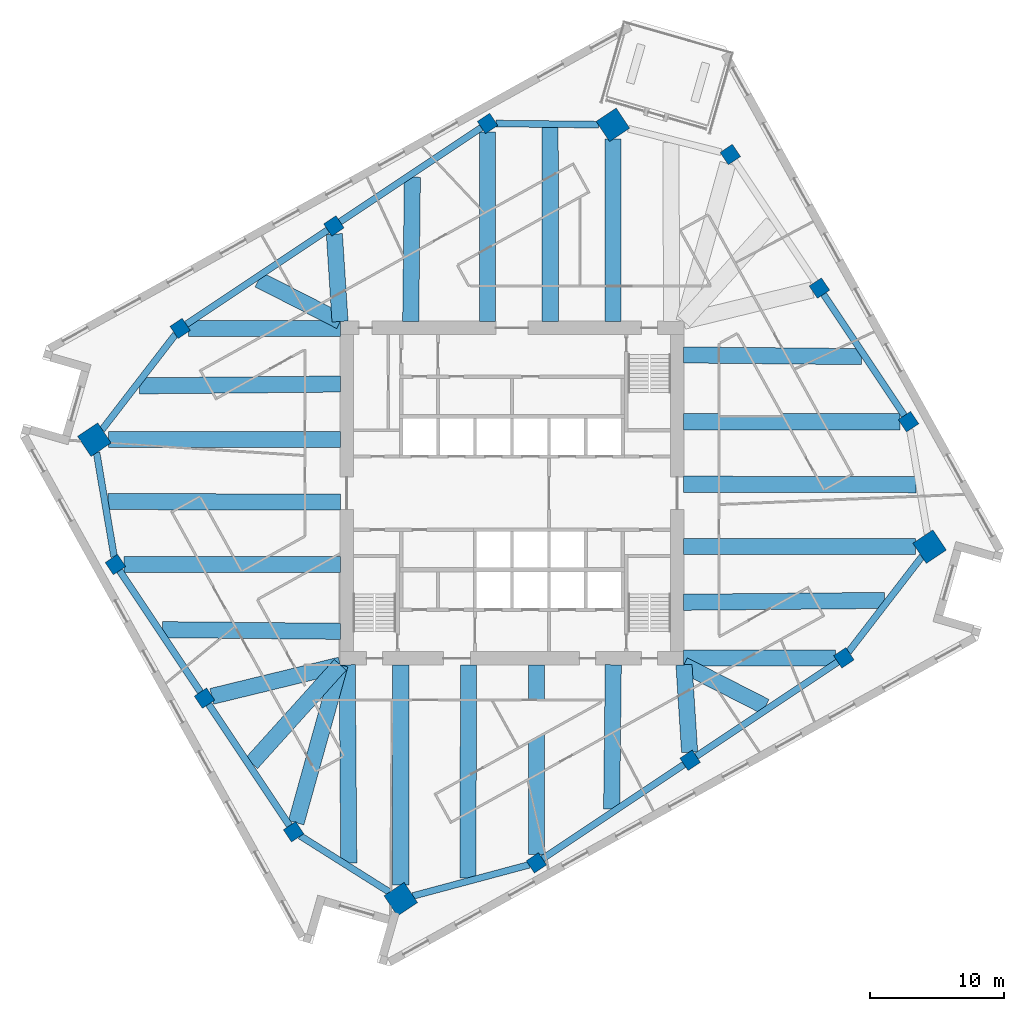
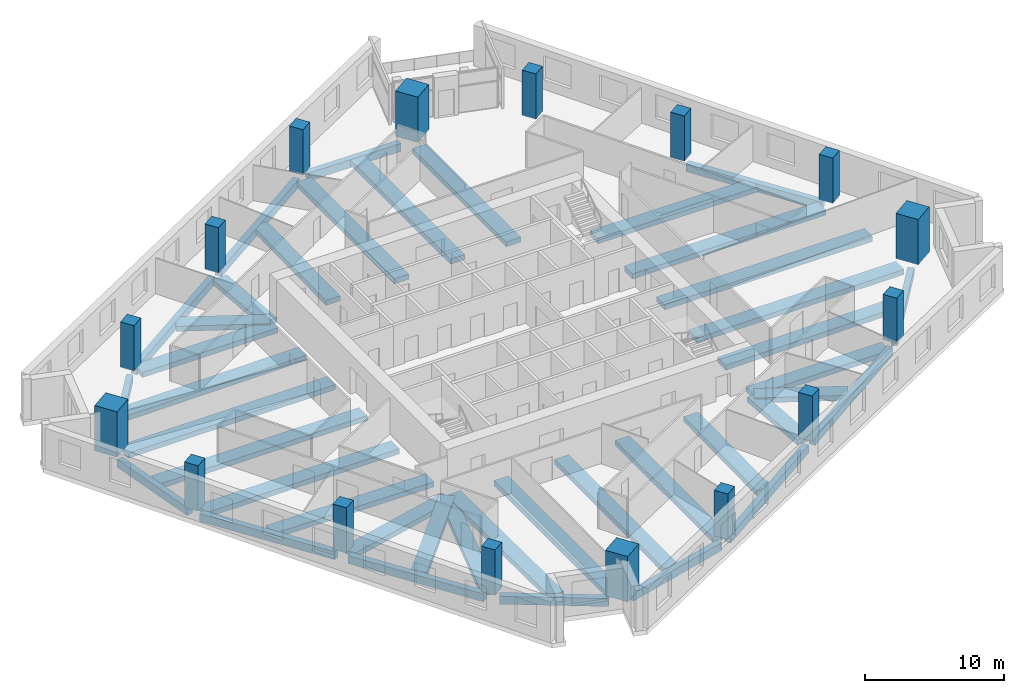
# One storey, part 1 of 12: 41 beams, 16 columns.
"""IFC4 building model written with IfcOpenShell, lengths in metres."""

from ifc_helpers import new_model, si_unit, direction, frame, origin, origin_2d, place, context, subcontext, project, spatial, rectangle, extrude, material, material_profile, profile_set, type_object, element, save


model = new_model("IFC4")

# Units and contexts
model_context = context("Model", 3, precision=1e-05, world=origin(), true_north=direction((0.0, 1.0)))
body_context = subcontext(model_context, "Body", "Model", "MODEL_VIEW")
ifc_project = project(units=[si_unit("LENGTHUNIT", "METRE"), si_unit("AREAUNIT", "SQUARE_METRE"), si_unit("VOLUMEUNIT", "CUBIC_METRE"), si_unit("PLANEANGLEUNIT", "RADIAN"), si_unit("MASSUNIT", "GRAM", prefix="KILO")], contexts=[model_context])

# Site, building, storey
site_placement = place(None, origin())
site = spatial("IfcSite", under=ifc_project, at=site_placement, CompositionType="ELEMENT")
building_placement = place(site_placement, origin())
building = spatial("IfcBuilding", under=site, at=building_placement, Name="Dilmun Exchange Tower", CompositionType="ELEMENT")
storey_placement = place(building_placement, frame((0.0, 0.0, 139.699951171875)))
storey = spatial("IfcBuildingStorey", under=building, at=storey_placement, Name="L32", CompositionType="ELEMENT", Elevation=139.699951171875)

# Columns
ifc_material_1 = material(Name="Concrete C60/75", Category="concrete")
ifc_material_profile_1 = material_profile(ifc_material_1, rectangle(XDim=1.800048828125, YDim=1.800048828125, at=origin_2d()), Name="1800 x 1800")
ifc_profile_set_1 = profile_set([ifc_material_profile_1], Name="Concrete C60/75")
column_type_1 = type_object("IfcColumnType", Name="RC mega column 1800 x 1800 C60/75", PredefinedType="COLUMN", material=ifc_profile_set_1)
for number, where, z_axis, x_axis, name in (
    (1, (7.506103515625, 27.409912109375, 0.0), (0.0, 0.0, 1.0), (0.832028680356, 0.55473261583, 0.0), "Mega column M1"),
    (2, (-31.0791015625, 3.98193359375, 0.0), (0.0, 0.0, 1.0), (0.832028680356, 0.55473261583, 0.0), "Mega column M2"),
    (3, (-8.27587890625, -30.220947265625, 0.0), (0.0, 0.0, 1.0), (0.832028680356, 0.55473261583, 0.0), "Mega column M3"),
    (4, (31.0791015625, -3.98193359375, 0.0), (0.0, 0.0, 1.0), (0.832028680356, 0.55473261583, 0.0), "Mega column M4"),
):
    element("IfcColumn", number, at=place(storey_placement, frame(where, z_axis=z_axis, x_axis=x_axis)), inside=storey, type_object=column_type_1, Name=name, PredefinedType="COLUMN", context=body_context, shape_type="SweptSolid", body=[
        extrude(rectangle(XDim=1.800048828125, YDim=1.800048828125, at=origin_2d()), origin(), (0.0, 0.0, 1.0), 4.0),
    ])
ifc_material_profile_2 = material_profile(ifc_material_1, rectangle(XDim=1.10009765625, YDim=1.10009765625, at=origin_2d()), Name="1100 x 1100")
ifc_profile_set_2 = profile_set([ifc_material_profile_2], Name="Concrete C60/75")
column_type_2 = type_object("IfcColumnType", Name="RC ring column 1100 x 1100 C60/75", PredefinedType="COLUMN", material=ifc_profile_set_2)
for number, where, z_axis, x_axis, name in (
    (5, (-1.818115234375, 27.512939453125, 0.0), (0.0, 0.0, 1.0), (0.832028680356, 0.55473261583, 0.0), "Ring column R01"),
    (6, (-13.258056640625, 19.885009765625, 0.0), (0.0, 0.0, 1.0), (0.832028680356, 0.55473261583, 0.0), "Ring column R02"),
    (7, (-24.698974609375, 12.258056640625, 0.0), (0.0, 0.0, 1.0), (0.832028680356, 0.55473261583, 0.0), "Ring column R03"),
    (8, (-29.510009765625, -5.31201171875, 0.0), (0.0, 0.0, 1.0), (0.832028680356, 0.55473261583, 0.0), "Ring column R04"),
    (9, (-22.881103515625, -15.2548828125, 0.0), (0.0, 0.0, 1.0), (0.832028680356, 0.55473261583, 0.0), "Ring column R05"),
    (10, (-16.251953125, -25.197998046875, 0.0), (0.0, 0.0, 1.0), (0.832028680356, 0.55473261583, 0.0), "Ring column R06"),
    (11, (1.818115234375, -27.512939453125, 0.0), (0.0, 0.0, 1.0), (0.832028680356, 0.55473261583, 0.0), "Ring column R07"),
    (12, (13.258056640625, -19.885009765625, 0.0), (0.0, 0.0, 1.0), (0.832028680356, 0.55473261583, 0.0), "Ring column R08"),
    (13, (24.698974609375, -12.258056640625, 0.0), (0.0, 0.0, 1.0), (0.832028680356, 0.55473261583, 0.0), "Ring column R09"),
    (14, (29.510009765625, 5.31201171875, 0.0), (0.0, 0.0, 1.0), (0.832028680356, 0.55473261583, 0.0), "Ring column R10"),
    (15, (22.881103515625, 15.2548828125, 0.0), (0.0, 0.0, 1.0), (0.832028680356, 0.55473261583, 0.0), "Ring column R11"),
    (16, (16.251953125, 25.197998046875, 0.0), (0.0, 0.0, 1.0), (0.832028680356, 0.55473261583, 0.0), "Ring column R12"),
):
    element("IfcColumn", number, at=place(storey_placement, frame(where, z_axis=z_axis, x_axis=x_axis)), inside=storey, type_object=column_type_2, Name=name, PredefinedType="COLUMN", context=body_context, shape_type="SweptSolid", body=[
        extrude(rectangle(XDim=1.10009765625, YDim=1.10009765625, at=origin_2d()), origin(), (0.0, 0.0, 1.0), 4.0),
    ])

# Beams
ifc_material_2 = material(Name="Concrete C40/50", Category="concrete")
ifc_material_profile_3 = material_profile(ifc_material_2, rectangle(XDim=1.199951171875, YDim=0.449951171875, at=origin_2d()), Name="1200 x 450")
ifc_profile_set_3 = profile_set([ifc_material_profile_3], Name="Concrete C40/50")
beam_type_1 = type_object("IfcBeamType", Name="RC band beam 1200 x 450 C40/50", PredefinedType="BEAM", material=ifc_profile_set_3)
beam_1_placement = place(storey_placement, frame((7.506103515625, 26.355224609375, -0.724853515625), z_axis=(0.0, -1.0, 0.0), x_axis=(1.0, 0.0, 0.0)))
element("IfcBeam", 17, at=beam_1_placement, inside=storey, type_object=beam_type_1, Name="Band beam 1", PredefinedType="BEAM", context=body_context, shape_type="SweptSolid", body=[
    extrude(rectangle(XDim=1.199951171875, YDim=0.449951171875, at=origin_2d()), origin(), (0.0, 0.0, 1.0), 13.582275390625),
])
beam_2_placement = place(storey_placement, frame((-1.818115234375, 26.87890625, -0.724853515625), z_axis=(0.0, -1.0, 0.0), x_axis=(1.0, 0.0, 0.0)))
element("IfcBeam", 18, at=beam_2_placement, inside=storey, type_object=beam_type_1, Name="Band beam 2", PredefinedType="BEAM", context=body_context, shape_type="SweptSolid", body=[
    extrude(rectangle(XDim=1.199951171875, YDim=0.449951171875, at=origin_2d()), origin(), (0.0, 0.0, 1.0), 14.10595703125),
])
beam_3_placement = place(storey_placement, frame((-13.21875, 19.2783203125, -0.724853515625), z_axis=(0.064492965824, -0.997918161654, 0.0), x_axis=(0.997918161654, 0.064492965824, 0.0)))
element("IfcBeam", 19, at=beam_3_placement, inside=storey, type_object=beam_type_1, Name="Band beam 3", PredefinedType="BEAM", context=body_context, shape_type="SweptSolid", body=[
    extrude(rectangle(XDim=1.199951171875, YDim=0.449951171875, at=origin_2d()), origin(), (0.0, 0.0, 1.0), 6.518798828125),
])
beam_4_placement = place(storey_placement, frame((-24.06494140625, 12.258056640625, -0.724853515625), z_axis=(1.0, 0.0, 0.0), x_axis=(0.0, 1.0, 0.0)))
element("IfcBeam", 20, at=beam_4_placement, inside=storey, type_object=beam_type_1, Name="Band beam 4", PredefinedType="BEAM", context=body_context, shape_type="SweptSolid", body=[
    extrude(rectangle(XDim=1.199951171875, YDim=0.449951171875, at=origin_2d()), origin(), (0.0, 0.0, 1.0), 11.2919921875),
])
beam_5_placement = place(storey_placement, frame((-30.0244140625, 3.98193359375, -0.724853515625), z_axis=(1.0, 0.0, 0.0), x_axis=(0.0, 1.0, 0.0)))
element("IfcBeam", 21, at=beam_5_placement, inside=storey, type_object=beam_type_1, Name="Band beam 5", PredefinedType="BEAM", context=body_context, shape_type="SweptSolid", body=[
    extrude(rectangle(XDim=1.199951171875, YDim=0.449951171875, at=origin_2d()), origin(), (0.0, 0.0, 1.0), 17.25146484375),
])
beam_6_placement = place(storey_placement, frame((-28.8759765625, -5.31201171875, -0.724853515625), z_axis=(1.0, 0.0, 0.0), x_axis=(0.0, 1.0, 0.0)))
element("IfcBeam", 22, at=beam_6_placement, inside=storey, type_object=beam_type_1, Name="Band beam 6", PredefinedType="BEAM", context=body_context, shape_type="SweptSolid", body=[
    extrude(rectangle(XDim=1.199951171875, YDim=0.449951171875, at=origin_2d()), origin(), (0.0, 0.0, 1.0), 16.10302734375),
])
beam_7_placement = place(storey_placement, frame((-22.33837890625, -15.122802734375, -0.724853515625), z_axis=(0.971607999859, 0.236596480554, 0.0), x_axis=(-0.236596480554, 0.971607999859, 0.0)))
element("IfcBeam", 23, at=beam_7_placement, inside=storey, type_object=beam_type_1, Name="Band beam 7", PredefinedType="BEAM", context=body_context, shape_type="SweptSolid", body=[
    extrude(rectangle(XDim=1.199951171875, YDim=0.449951171875, at=origin_2d()), origin(), (0.0, 0.0, 1.0), 9.84423828125),
])
beam_8_placement = place(storey_placement, frame((-16.064453125, -24.524658203125, -0.724853515625), z_axis=(0.268225004284, 0.963356292904, 0.0), x_axis=(-0.963356292904, 0.268225004284, 0.0)))
element("IfcBeam", 24, at=beam_8_placement, inside=storey, type_object=beam_type_1, Name="Band beam 8", PredefinedType="BEAM", context=body_context, shape_type="SweptSolid", body=[
    extrude(rectangle(XDim=1.199951171875, YDim=0.449951171875, at=origin_2d()), origin(), (0.0, 0.0, 1.0), 12.19775390625),
])
beam_9_placement = place(storey_placement, frame((-8.27587890625, -29.166259765625, -0.724853515625), z_axis=(0.0, 1.0, 0.0), x_axis=(-1.0, 0.0, 0.0)))
element("IfcBeam", 25, at=beam_9_placement, inside=storey, type_object=beam_type_1, Name="Band beam 9", PredefinedType="BEAM", context=body_context, shape_type="SweptSolid", body=[
    extrude(rectangle(XDim=1.199951171875, YDim=0.449951171875, at=origin_2d()), origin(), (0.0, 0.0, 1.0), 16.393310546875),
])
beam_10_placement = place(storey_placement, frame((1.818115234375, -26.87890625, -0.724853515625), z_axis=(0.0, 1.0, 0.0), x_axis=(-1.0, 0.0, 0.0)))
element("IfcBeam", 26, at=beam_10_placement, inside=storey, type_object=beam_type_1, Name="Band beam 10", PredefinedType="BEAM", context=body_context, shape_type="SweptSolid", body=[
    extrude(rectangle(XDim=1.199951171875, YDim=0.449951171875, at=origin_2d()), origin(), (0.0, 0.0, 1.0), 14.10595703125),
])
beam_11_placement = place(storey_placement, frame((13.21875, -19.2783203125, -0.724853515625), z_axis=(-0.064492965824, 0.997918161654, 0.0), x_axis=(-0.997918161654, -0.064492965824, 0.0)))
element("IfcBeam", 27, at=beam_11_placement, inside=storey, type_object=beam_type_1, Name="Band beam 11", PredefinedType="BEAM", context=body_context, shape_type="SweptSolid", body=[
    extrude(rectangle(XDim=1.199951171875, YDim=0.449951171875, at=origin_2d()), origin(), (0.0, 0.0, 1.0), 6.518798828125),
])
beam_12_placement = place(storey_placement, frame((24.06494140625, -12.258056640625, -0.724853515625), z_axis=(-1.0, 0.0, 0.0), x_axis=(0.0, -1.0, 0.0)))
element("IfcBeam", 28, at=beam_12_placement, inside=storey, type_object=beam_type_1, Name="Band beam 12", PredefinedType="BEAM", context=body_context, shape_type="SweptSolid", body=[
    extrude(rectangle(XDim=1.199951171875, YDim=0.449951171875, at=origin_2d()), origin(), (0.0, 0.0, 1.0), 11.2919921875),
])
beam_13_placement = place(storey_placement, frame((30.0244140625, -3.98193359375, -0.724853515625), z_axis=(-1.0, 0.0, 0.0), x_axis=(0.0, -1.0, 0.0)))
element("IfcBeam", 29, at=beam_13_placement, inside=storey, type_object=beam_type_1, Name="Band beam 13", PredefinedType="BEAM", context=body_context, shape_type="SweptSolid", body=[
    extrude(rectangle(XDim=1.199951171875, YDim=0.449951171875, at=origin_2d()), origin(), (0.0, 0.0, 1.0), 17.25146484375),
])
beam_14_placement = place(storey_placement, frame((28.8759765625, 5.31201171875, -0.724853515625), z_axis=(-1.0, 0.0, 0.0), x_axis=(0.0, -1.0, 0.0)))
element("IfcBeam", 30, at=beam_14_placement, inside=storey, type_object=beam_type_1, Name="Band beam 14", PredefinedType="BEAM", context=body_context, shape_type="SweptSolid", body=[
    extrude(rectangle(XDim=1.199951171875, YDim=0.449951171875, at=origin_2d()), origin(), (0.0, 0.0, 1.0), 16.10302734375),
])
beam_15_placement = place(storey_placement, frame((2.841552734375, 27.238525390625, -0.625), z_axis=(0.00016877352, -0.999999985758, 0.0), x_axis=(0.999999985758, 0.00016877352, 0.0)))
element("IfcBeam", 31, at=beam_15_placement, inside=storey, type_object=beam_type_1, Name="Band beam 17", PredefinedType="BEAM", context=body_context, shape_type="SweptSolid", body=[
    extrude(rectangle(XDim=1.199951171875, YDim=0.449951171875, at=origin_2d()), origin(), (0.0, 0.0, 1.0), 14.465576171875),
])
beam_16_placement = place(storey_placement, frame((-7.414306640625, 23.513427734375, -0.625), z_axis=(-0.011523795482, -0.999933598864, 0.0), x_axis=(0.999933598864, -0.011523795482, 0.0)))
element("IfcBeam", 32, at=beam_16_placement, inside=storey, type_object=beam_type_1, Name="Band beam 18", PredefinedType="BEAM", context=body_context, shape_type="SweptSolid", body=[
    extrude(rectangle(XDim=1.199951171875, YDim=0.449951171875, at=origin_2d()), origin(), (0.0, 0.0, 1.0), 10.7412109375),
])
beam_17_placement = place(storey_placement, frame((-18.854736328125, 15.885986328125, -0.625), z_axis=(0.890922045004, -0.454156261354, 0.0), x_axis=(0.454156261354, 0.890922045004, 0.0)))
element("IfcBeam", 33, at=beam_17_placement, inside=storey, type_object=beam_type_1, Name="Band beam 19", PredefinedType="BEAM", context=body_context, shape_type="SweptSolid", body=[
    extrude(rectangle(XDim=1.199951171875, YDim=0.449951171875, at=origin_2d()), origin(), (0.0, 0.0, 1.0), 6.82275390625),
])
beam_18_placement = place(storey_placement, frame((-27.71240234375, 7.98388671875, -0.625), z_axis=(0.99995842598, 0.009118459957, 0.0), x_axis=(-0.009118459957, 0.99995842598, 0.0)))
element("IfcBeam", 34, at=beam_18_placement, inside=storey, type_object=beam_type_1, Name="Band beam 20", PredefinedType="BEAM", context=body_context, shape_type="SweptSolid", body=[
    extrude(rectangle(XDim=1.199951171875, YDim=0.449951171875, at=origin_2d()), origin(), (0.0, 0.0, 1.0), 14.940185546875),
])
beam_19_placement = place(storey_placement, frame((-30.07470703125, -0.6279296875, -0.625), z_axis=(0.999997699854, -0.002144827713, 0.0), x_axis=(0.002144827713, 0.999997699854, 0.0)))
element("IfcBeam", 35, at=beam_19_placement, inside=storey, type_object=beam_type_1, Name="Band beam 21", PredefinedType="BEAM", context=body_context, shape_type="SweptSolid", body=[
    extrude(rectangle(XDim=1.199951171875, YDim=0.449951171875, at=origin_2d()), origin(), (0.0, 0.0, 1.0), 17.3017578125),
])
beam_20_placement = place(storey_placement, frame((-26.010009765625, -10.159912109375, -0.625), z_axis=(0.999956454863, -0.009332115424, 0.0), x_axis=(0.009332115424, 0.999956454863, 0.0)))
element("IfcBeam", 36, at=beam_20_placement, inside=storey, type_object=beam_type_1, Name="Band beam 22", PredefinedType="BEAM", context=body_context, shape_type="SweptSolid", body=[
    extrude(rectangle(XDim=1.199951171875, YDim=0.449951171875, at=origin_2d()), origin(), (0.0, 0.0, 1.0), 13.237548828125),
])
beam_21_placement = place(storey_placement, frame((-19.381103515625, -20.102783203125, -0.625), z_axis=(0.669462647611, 0.742845719819, 0.0), x_axis=(-0.742845719819, 0.669462647611, 0.0)))
element("IfcBeam", 37, at=beam_21_placement, inside=storey, type_object=beam_type_1, Name="Band beam 23", PredefinedType="BEAM", context=body_context, shape_type="SweptSolid", body=[
    extrude(rectangle(XDim=1.199951171875, YDim=0.449951171875, at=origin_2d()), origin(), (0.0, 0.0, 1.0), 9.857666015625),
])
beam_22_placement = place(storey_placement, frame((-12.145263671875, -27.520751953125, -0.625), z_axis=(-0.008045164826, 0.999967637138, 0.0), x_axis=(-0.999967637138, -0.008045164826, 0.0)))
element("IfcBeam", 38, at=beam_22_placement, inside=storey, type_object=beam_type_1, Name="Band beam 24", PredefinedType="BEAM", context=body_context, shape_type="SweptSolid", body=[
    extrude(rectangle(XDim=1.199951171875, YDim=0.449951171875, at=origin_2d()), origin(), (0.0, 0.0, 1.0), 14.748291015625),
])
beam_23_placement = place(storey_placement, frame((-3.286865234375, -28.651611328125, -0.625), z_axis=(0.003643943273, 0.999993360817, 0.0), x_axis=(-0.999993360817, 0.003643943273, 0.0)))
element("IfcBeam", 39, at=beam_23_placement, inside=storey, type_object=beam_type_1, Name="Band beam 25", PredefinedType="BEAM", context=body_context, shape_type="SweptSolid", body=[
    extrude(rectangle(XDim=1.199951171875, YDim=0.449951171875, at=origin_2d()), origin(), (0.0, 0.0, 1.0), 15.878662109375),
])
beam_24_placement = place(storey_placement, frame((7.414306640625, -23.513427734375, -0.625), z_axis=(0.011523795482, 0.999933598864, 0.0), x_axis=(-0.999933598864, 0.011523795482, 0.0)))
element("IfcBeam", 40, at=beam_24_placement, inside=storey, type_object=beam_type_1, Name="Band beam 26", PredefinedType="BEAM", context=body_context, shape_type="SweptSolid", body=[
    extrude(rectangle(XDim=1.199951171875, YDim=0.449951171875, at=origin_2d()), origin(), (0.0, 0.0, 1.0), 10.7412109375),
])
beam_25_placement = place(storey_placement, frame((18.854736328125, -15.885986328125, -0.625), z_axis=(-0.890922045004, 0.454156261354, 0.0), x_axis=(-0.454156261354, -0.890922045004, 0.0)))
element("IfcBeam", 41, at=beam_25_placement, inside=storey, type_object=beam_type_1, Name="Band beam 27", PredefinedType="BEAM", context=body_context, shape_type="SweptSolid", body=[
    extrude(rectangle(XDim=1.199951171875, YDim=0.449951171875, at=origin_2d()), origin(), (0.0, 0.0, 1.0), 6.82275390625),
])
beam_26_placement = place(storey_placement, frame((27.71240234375, -7.98388671875, -0.625), z_axis=(-0.99995842598, -0.009118459957, 0.0), x_axis=(0.009118459957, -0.99995842598, 0.0)))
element("IfcBeam", 42, at=beam_26_placement, inside=storey, type_object=beam_type_1, Name="Band beam 28", PredefinedType="BEAM", context=body_context, shape_type="SweptSolid", body=[
    extrude(rectangle(XDim=1.199951171875, YDim=0.449951171875, at=origin_2d()), origin(), (0.0, 0.0, 1.0), 14.940185546875),
])
beam_27_placement = place(storey_placement, frame((30.07470703125, 0.6279296875, -0.625), z_axis=(-0.999997699854, 0.002144827713, 0.0), x_axis=(-0.002144827713, -0.999997699854, 0.0)))
element("IfcBeam", 43, at=beam_27_placement, inside=storey, type_object=beam_type_1, Name="Band beam 29", PredefinedType="BEAM", context=body_context, shape_type="SweptSolid", body=[
    extrude(rectangle(XDim=1.199951171875, YDim=0.449951171875, at=origin_2d()), origin(), (0.0, 0.0, 1.0), 17.3017578125),
])
beam_28_placement = place(storey_placement, frame((26.010009765625, 10.159912109375, -0.625), z_axis=(-0.999956454863, 0.009332115424, 0.0), x_axis=(-0.009332115424, -0.999956454863, 0.0)))
element("IfcBeam", 44, at=beam_28_placement, inside=storey, type_object=beam_type_1, Name="Band beam 30", PredefinedType="BEAM", context=body_context, shape_type="SweptSolid", body=[
    extrude(rectangle(XDim=1.199951171875, YDim=0.449951171875, at=origin_2d()), origin(), (0.0, 0.0, 1.0), 13.237548828125),
])
ifc_material_profile_4 = material_profile(ifc_material_2, rectangle(XDim=0.5, YDim=0.699951171875, at=origin_2d()), Name="500 x 700")
ifc_profile_set_4 = profile_set([ifc_material_profile_4], Name="Concrete C40/50")
beam_type_2 = type_object("IfcBeamType", Name="RC ring beam 500 x 700 C40/50", PredefinedType="SPANDREL", material=ifc_profile_set_4)
beam_29_placement = place(storey_placement, frame((6.443359375, 27.421630859375, -0.75), z_axis=(-0.999938955437, 0.011049226175, 0.0), x_axis=(-0.011049226175, -0.999938955437, 0.0)))
element("IfcBeam", 45, at=beam_29_placement, inside=storey, type_object=beam_type_2, Name="Ring beam 1", PredefinedType="SPANDREL", context=body_context, shape_type="SweptSolid", body=[
    extrude(rectangle(XDim=0.5, YDim=0.699951171875, at=origin_2d()), origin(), (0.0, 0.0, 1.0), 7.623046875),
])
beam_30_placement = place(storey_placement, frame((-2.253173828125, 27.222900390625, -0.75), z_axis=(-0.832002986666, -0.554771151177, 0.0), x_axis=(0.554771151177, -0.832002986666, 0.0)))
element("IfcBeam", 46, at=beam_30_placement, inside=storey, type_object=beam_type_2, Name="Ring beam 2", PredefinedType="SPANDREL", context=body_context, shape_type="SweptSolid", body=[
    extrude(rectangle(XDim=0.5, YDim=0.699951171875, at=origin_2d()), origin(), (0.0, 0.0, 1.0), 12.7041015625),
])
beam_31_placement = place(storey_placement, frame((-13.693115234375, 19.594970703125, -0.75), z_axis=(-0.832062120058, -0.554682457235, 0.0), x_axis=(0.554682457235, -0.832062120058, 0.0)))
element("IfcBeam", 47, at=beam_31_placement, inside=storey, type_object=beam_type_2, Name="Ring beam 3", PredefinedType="SPANDREL", context=body_context, shape_type="SweptSolid", body=[
    extrude(rectangle(XDim=0.5, YDim=0.699951171875, at=origin_2d()), origin(), (0.0, 0.0, 1.0), 12.704345703125),
])
beam_32_placement = place(storey_placement, frame((-25.037109375, 11.819580078125, -0.75), z_axis=(-0.610521727247, -0.791999507929, 0.0), x_axis=(0.791999507929, -0.610521727247, 0.0)))
element("IfcBeam", 48, at=beam_32_placement, inside=storey, type_object=beam_type_2, Name="Ring beam 4", PredefinedType="SPANDREL", context=body_context, shape_type="SweptSolid", body=[
    extrude(rectangle(XDim=0.5, YDim=0.699951171875, at=origin_2d()), origin(), (0.0, 0.0, 1.0), 8.97314453125),
])
beam_33_placement = place(storey_placement, frame((-30.91943359375, 3.036376953125, -0.75), z_axis=(0.166485785433, -0.986043854628, 0.0), x_axis=(0.986043854628, 0.166485785433, 0.0)))
element("IfcBeam", 49, at=beam_33_placement, inside=storey, type_object=beam_type_2, Name="Ring beam 5", PredefinedType="SPANDREL", context=body_context, shape_type="SweptSolid", body=[
    extrude(rectangle(XDim=0.5, YDim=0.699951171875, at=origin_2d()), origin(), (0.0, 0.0, 1.0), 7.890869140625),
])
for number, where, z_axis, x_axis, name in (
    (50, (-29.219970703125, -5.747314453125, -0.75), (0.554731197186, -0.832029626196, 0.0), (0.832029626196, 0.554731197186, 0.0), "Ring beam 6"),
    (51, (-22.5908203125, -15.690185546875, -0.75), (0.554731197186, -0.832029626196, 0.0), (0.832029626196, 0.554731197186, 0.0), "Ring beam 7"),
):
    element("IfcBeam", number, at=place(storey_placement, frame(where, z_axis=z_axis, x_axis=x_axis)), inside=storey, type_object=beam_type_2, Name=name, PredefinedType="SPANDREL", context=body_context, shape_type="SweptSolid", body=[
        extrude(rectangle(XDim=0.5, YDim=0.699951171875, at=origin_2d()), origin(), (0.0, 0.0, 1.0), 10.904052734375),
    ])
beam_34_placement = place(storey_placement, frame((-15.764892578125, -25.504638671875, -0.75), z_axis=(0.846177038183, -0.532901885953, 0.0), x_axis=(0.532901885953, 0.846177038183, 0.0)))
element("IfcBeam", 52, at=beam_34_placement, inside=storey, type_object=beam_type_2, Name="Ring beam 8", PredefinedType="SPANDREL", context=body_context, shape_type="SweptSolid", body=[
    extrude(rectangle(XDim=0.5, YDim=0.699951171875, at=origin_2d()), origin(), (0.0, 0.0, 1.0), 7.891357421875),
])
beam_35_placement = place(storey_placement, frame((-7.384521484375, -29.981689453125, -0.75), z_axis=(0.965850974034, 0.259098236113, 0.0), x_axis=(-0.259098236113, 0.965850974034, 0.0)))
element("IfcBeam", 53, at=beam_35_placement, inside=storey, type_object=beam_type_2, Name="Ring beam 9", PredefinedType="SPANDREL", context=body_context, shape_type="SweptSolid", body=[
    extrude(rectangle(XDim=0.5, YDim=0.699951171875, at=origin_2d()), origin(), (0.0, 0.0, 1.0), 8.97412109375),
])
beam_36_placement = place(storey_placement, frame((2.253173828125, -27.222900390625, -0.75), z_axis=(0.832002986666, 0.554771151177, 0.0), x_axis=(-0.554771151177, 0.832002986666, 0.0)))
element("IfcBeam", 54, at=beam_36_placement, inside=storey, type_object=beam_type_2, Name="Ring beam 10", PredefinedType="SPANDREL", context=body_context, shape_type="SweptSolid", body=[
    extrude(rectangle(XDim=0.5, YDim=0.699951171875, at=origin_2d()), origin(), (0.0, 0.0, 1.0), 12.7041015625),
])
beam_37_placement = place(storey_placement, frame((13.693115234375, -19.594970703125, -0.75), z_axis=(0.832062120058, 0.554682457235, 0.0), x_axis=(-0.554682457235, 0.832062120058, 0.0)))
element("IfcBeam", 55, at=beam_37_placement, inside=storey, type_object=beam_type_2, Name="Ring beam 11", PredefinedType="SPANDREL", context=body_context, shape_type="SweptSolid", body=[
    extrude(rectangle(XDim=0.5, YDim=0.699951171875, at=origin_2d()), origin(), (0.0, 0.0, 1.0), 12.704345703125),
])
beam_38_placement = place(storey_placement, frame((25.037109375, -11.819580078125, -0.75), z_axis=(0.610521727247, 0.791999507929, 0.0), x_axis=(-0.791999507929, 0.610521727247, 0.0)))
element("IfcBeam", 56, at=beam_38_placement, inside=storey, type_object=beam_type_2, Name="Ring beam 12", PredefinedType="SPANDREL", context=body_context, shape_type="SweptSolid", body=[
    extrude(rectangle(XDim=0.5, YDim=0.699951171875, at=origin_2d()), origin(), (0.0, 0.0, 1.0), 8.97314453125),
])
beam_39_placement = place(storey_placement, frame((29.219970703125, 5.747314453125, -0.75), z_axis=(-0.554731197186, 0.832029626196, 0.0), x_axis=(-0.832029626196, -0.554731197186, 0.0)))
element("IfcBeam", 57, at=beam_39_placement, inside=storey, type_object=beam_type_2, Name="Ring beam 14", PredefinedType="SPANDREL", context=body_context, shape_type="SweptSolid", body=[
    extrude(rectangle(XDim=0.5, YDim=0.699951171875, at=origin_2d()), origin(), (0.0, 0.0, 1.0), 10.904052734375),
])

save(model, "model.ifc")
